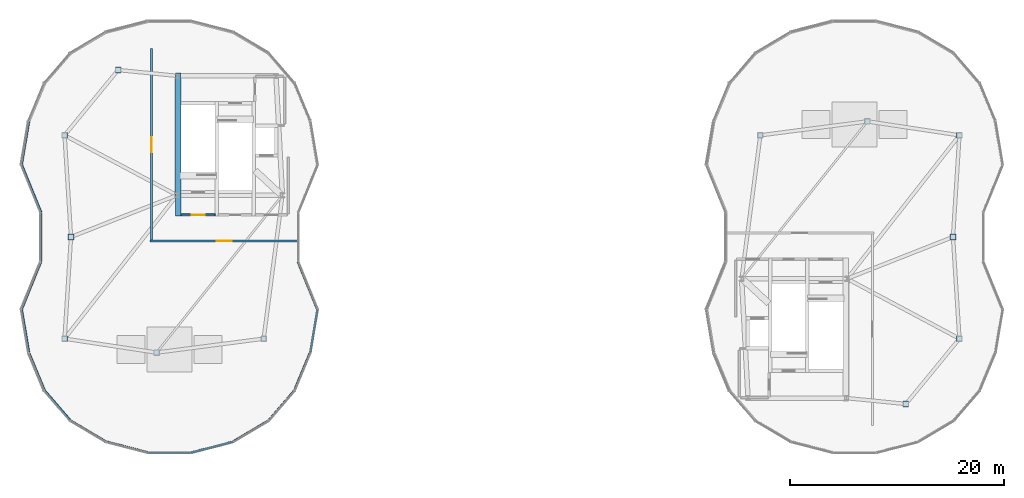
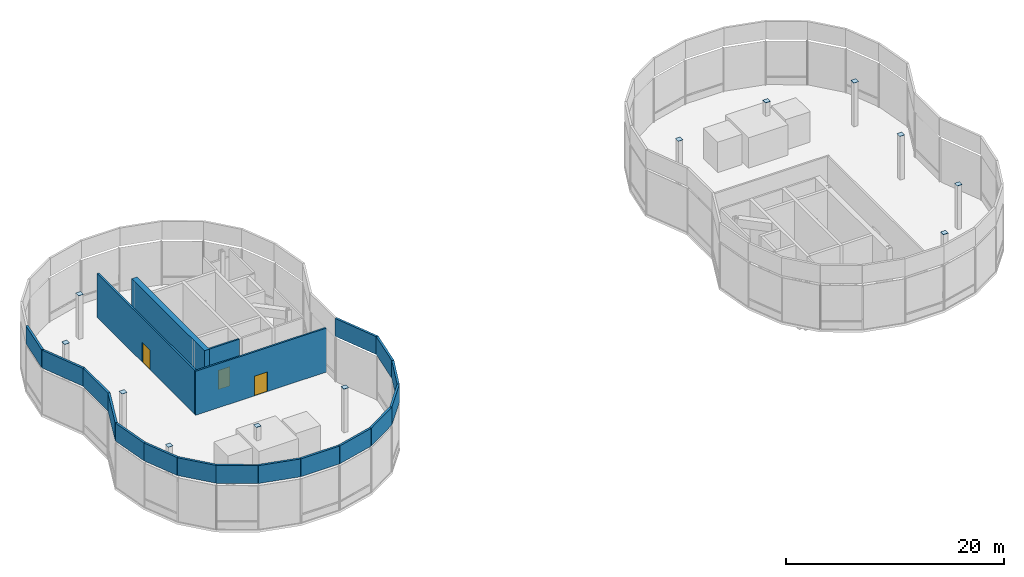
# One storey, part 10 of 14: 20 walls, 12 plates, 3 doors, 3 openings.
"""IFC4 building model written with IfcOpenShell, lengths in metres."""

import ifcopenshell
import ifcopenshell.guid

model = None  # the IFC model being written
_history = None  # IfcOwnerHistory: only IFC2X3 demands one
_inside = {}  # id of a spatial element -> (the spatial element, [elements in it])
_under = {}  # id of a project, library or spatial element -> (it, [spatial elements below it])
_declared = {}  # id of a project -> (the project, [libraries it declares])
_typed = {}  # id of a type object -> (the type object, [elements of that type])
_made_of = {}  # id of a material, layer set ... -> (it, [elements and type objects made of it])


def new_model(schema):
    """Start an empty IFC model of exactly this schema.

    Asked for "IFC4X3", IfcOpenShell would pick the latest addendum, in which some entities
    have other attributes; the version numbers below select the first issue.
    IFC2X3 requires an IfcOwnerHistory on every rooted entity: one is made here for all.
    """
    global model, _history
    if schema == "IFC4X3":
        model = ifcopenshell.file(schema_version=(4, 3, 0, 0))
    else:
        model = ifcopenshell.file(schema=schema)
    _inside.clear()
    _under.clear()
    _declared.clear()
    _typed.clear()
    _made_of.clear()
    _history = None
    if model.schema == "IFC2X3":
        org = make("IfcOrganization", Name="unknown")
        user = make(
            "IfcPersonAndOrganization",
            ThePerson=make("IfcPerson", FamilyName="unknown"),
            TheOrganization=org,
        )
        app = make(
            "IfcApplication",
            ApplicationDeveloper=org,
            Version="unknown",
            ApplicationFullName="unknown",
            ApplicationIdentifier="unknown",
        )
        _history = make(
            "IfcOwnerHistory",
            OwningUser=user,
            OwningApplication=app,
            ChangeAction="ADDED",
            CreationDate=0,
        )
    return model


def make(cls, **values):
    """One entity of the class cls with the attributes given. An attribute that is None is left unset."""
    return model.create_entity(
        cls, **{name: value for name, value in values.items() if value is not None}
    )


def rooted(cls, **values):
    """An entity with a GlobalId (a new one), such as an element, a storey or a relation."""
    return make(cls, GlobalId=ifcopenshell.guid.new(), OwnerHistory=_history, **values)


def si_unit(unit_type, name, prefix=None):
    """IfcSIUnit, for example si_unit("LENGTHUNIT", "METRE", prefix="MILLI")."""
    return make("IfcSIUnit", UnitType=unit_type, Prefix=prefix, Name=name)


def assignment(units):
    """IfcUnitAssignment: the units of a project."""
    return None if units is None else make("IfcUnitAssignment", Units=units)


def point(xyz):
    """IfcCartesianPoint."""
    return None if xyz is None else make("IfcCartesianPoint", Coordinates=xyz)


def direction(xyz):
    """IfcDirection."""
    return None if xyz is None else make("IfcDirection", DirectionRatios=xyz)


def frame(location, z_axis=None, x_axis=None):
    """IfcAxis2Placement3D, a coordinate frame: its origin and axes. An axis left out is left unset."""
    return make(
        "IfcAxis2Placement3D",
        Location=point(location),
        Axis=direction(z_axis),
        RefDirection=direction(x_axis),
    )


def frame_2d(location, x_axis=None):
    """IfcAxis2Placement2D, a coordinate frame in the plane: its origin and x axis."""
    return make(
        "IfcAxis2Placement2D", Location=point(location), RefDirection=direction(x_axis)
    )


def origin():
    """The frame at (0, 0, 0) with its axes left unset."""
    return frame((0.0, 0.0, 0.0))


def origin_2d():
    """The frame at (0, 0) in the plane with its x axis left unset."""
    return frame_2d((0.0, 0.0))


def place(relative_to, where):
    """IfcLocalPlacement: puts the frame where relative to a parent placement (None: the world)."""
    return make(
        "IfcLocalPlacement", PlacementRelTo=relative_to, RelativePlacement=where
    )


def context(
    kind, dimensions, precision=None, world=None, true_north=None, identifier=None
):
    """IfcGeometricRepresentationContext, for example the 3D "Model" context."""
    return make(
        "IfcGeometricRepresentationContext",
        ContextIdentifier=identifier,
        ContextType=kind,
        CoordinateSpaceDimension=dimensions,
        Precision=precision,
        WorldCoordinateSystem=world,
        TrueNorth=true_north,
    )


def subcontext(parent, identifier, kind, view, scale=None):
    """IfcGeometricRepresentationSubContext, for example "Body" below "Model"."""
    return make(
        "IfcGeometricRepresentationSubContext",
        ContextIdentifier=identifier,
        ContextType=kind,
        ParentContext=parent,
        TargetScale=scale,
        TargetView=view,
    )


def project(units=None, contexts=None):
    """IfcProject with its units and contexts."""
    return rooted(
        "IfcProject",
        Name="project",
        RepresentationContexts=contexts,
        UnitsInContext=assignment(units),
    )


def spatial(cls, under=None, at=None, **own):
    """A site, building, storey or space (cls), placed at a placement, below another one or the project."""
    s = rooted(cls, ObjectPlacement=at, **own)
    if under is not None:
        _under.setdefault(under.id(), (under, []))[1].append(s)
    return s


def profile(cls, at=None, kind="AREA", **sizes):
    """A parametric profile (cls). Its sizes go by their IFC names, for example OverallWidth=200.0."""
    return make(cls, ProfileType=kind, Position=at, **sizes)


def rectangle(**sizes):
    """IfcRectangleProfileDef."""
    return profile("IfcRectangleProfileDef", **sizes)


def extrude(swept, where, along, depth):
    """IfcExtrudedAreaSolid: the profile swept, set in the frame where, extruded along a direction by depth."""
    return make(
        "IfcExtrudedAreaSolid",
        SweptArea=swept,
        Position=where,
        ExtrudedDirection=direction(along),
        Depth=depth,
    )


def shape(context_of_items, identifier, shape_type, items):
    """IfcShapeRepresentation: the items that make up one representation, for example the "Body"."""
    return make(
        "IfcShapeRepresentation",
        ContextOfItems=context_of_items,
        RepresentationIdentifier=identifier,
        RepresentationType=shape_type,
        Items=items,
    )


def material(Name=None, Category=None):
    """IfcMaterial."""
    return make("IfcMaterial", Name=Name, Category=Category)


def layer(
    of_material, thickness, ventilated=None, Name=None, Category=None, Priority=None
):
    """IfcMaterialLayer: one layer of a wall or slab, of a material (None: an air gap)."""
    return make(
        "IfcMaterialLayer",
        Material=of_material,
        LayerThickness=thickness,
        IsVentilated=ventilated,
        Name=Name,
        Category=Category,
        Priority=Priority,
    )


def layer_set(layers, Name=None):
    """IfcMaterialLayerSet."""
    return make("IfcMaterialLayerSet", MaterialLayers=layers, LayerSetName=Name)


def made_of(thing, what):
    """Note that an element or type object is made of a material, layer set ...; save() writes the relation."""
    if what is not None:
        _made_of.setdefault(what.id(), (what, []))[1].append(thing)
    return thing


def type_object(cls, material=None, **own):
    """A type object (cls), such as IfcWallType, which elements share."""
    return made_of(rooted(cls, **own), material)


def element(
    cls,
    number,
    at=None,
    inside=None,
    cuts=None,
    type_object=None,
    material=None,
    context=None,
    identifier="Body",
    shape_type=None,
    held_by="IfcProductDefinitionShape",
    body=None,
    shapes=None,
    **own,
):
    """One element of the class cls, such as IfcWall. Its Tag is "e" and its number.

    at: its placement. inside: the storey or other place that contains it. cuts: it is an
    opening in that element (IfcRelVoidsElement). A single representation is given by context,
    identifier, shape_type and body (its items); several are given by shapes. held_by: the class
    of the entity that holds the representations. save() writes the other relations.
    """
    e = rooted(cls, Tag="e%d" % number, ObjectPlacement=at, **own)
    if body is not None:
        shapes = [shape(context, identifier, shape_type, body)]
    if shapes is not None:
        e.Representation = make(held_by, Representations=shapes)
    if inside is not None:
        _inside.setdefault(inside.id(), (inside, []))[1].append(e)
    if cuts is not None:
        rooted(
            "IfcRelVoidsElement", RelatingBuildingElement=cuts, RelatedOpeningElement=e
        )
    if type_object is not None:
        _typed.setdefault(type_object.id(), (type_object, []))[1].append(e)
    return made_of(e, material)


def fill(opening, filler):
    """IfcRelFillsElement: the door or window that sits in an opening."""
    return rooted(
        "IfcRelFillsElement",
        RelatingOpeningElement=opening,
        RelatedBuildingElement=filler,
    )


def aggregate(whole, parts):
    """IfcRelAggregates: a whole, such as a stair, and the parts it consists of."""
    return rooted("IfcRelAggregates", RelatingObject=whole, RelatedObjects=parts)


def save(model, path):
    """Write the relations noted so far, then the file.

    IfcRelAggregates (storeys below a building ...), IfcRelContainedInSpatialStructure (elements
    in a storey), IfcRelDefinesByType, IfcRelAssociatesMaterial and IfcRelDeclares: one each for
    every whole, place, type object, material and project.
    """
    for whole, parts in _under.values():
        aggregate(whole, parts)
    for where, things in _inside.values():
        rooted(
            "IfcRelContainedInSpatialStructure",
            RelatedElements=things,
            RelatingStructure=where,
        )
    for kind, things in _typed.values():
        rooted("IfcRelDefinesByType", RelatedObjects=things, RelatingType=kind)
    for what, things in _made_of.values():
        rooted("IfcRelAssociatesMaterial", RelatedObjects=things, RelatingMaterial=what)
    for by, libraries in _declared.values():
        rooted("IfcRelDeclares", RelatingContext=by, RelatedDefinitions=libraries)
    model.write(path)


model = new_model("IFC4")

# Units and contexts
model_context = context("Model", 3, precision=1e-05, world=origin(), true_north=direction((0.0, 1.0)))
body_context = subcontext(model_context, "Body", "Model", "MODEL_VIEW")
ifc_project = project(units=[si_unit("LENGTHUNIT", "METRE"), si_unit("AREAUNIT", "SQUARE_METRE"), si_unit("VOLUMEUNIT", "CUBIC_METRE"), si_unit("PLANEANGLEUNIT", "RADIAN"), si_unit("MASSUNIT", "GRAM", prefix="KILO"), si_unit("THERMODYNAMICTEMPERATUREUNIT", "KELVIN"), si_unit("POWERUNIT", "WATT")], contexts=[model_context])

# Site, building, storey
site_placement = place(None, origin())
site = spatial("IfcSite", under=ifc_project, at=site_placement, CompositionType="ELEMENT")
building_placement = place(site_placement, origin())
building = spatial("IfcBuilding", under=site, at=building_placement, Name="Cundina Bronze Exchange", CompositionType="ELEMENT")
storey_placement = place(building_placement, frame((0.0, 0.0, 286.39990234375)))
storey = spatial("IfcBuildingStorey", under=building, at=storey_placement, Name="L76", CompositionType="ELEMENT", Elevation=286.39990234375)

# Plates
ifc_material_1 = material(Name="Steel ASTM A572 Grade 50", Category="steel")
ifc_layer_1 = layer(ifc_material_1, 0.02490234375, Name="Steel ASTM A572 Grade 50", Category="steel")
ifc_layer_set_1 = layer_set([ifc_layer_1], Name="Steel ASTM A572 Grade 50")
plate_type = type_object("IfcPlateType", Name="PLT-CAP-STL25", PredefinedType="USERDEFINED", material=ifc_layer_set_1)
for number, where, z_axis, x_axis, name in (
    (1, (-41.199951171875, 0.0, 4.917724609375), (0.0, 0.0, 1.0), (1.0, 0.0, 0.0), "L76 W HSS Column Top Cap 1"),
    (2, (-41.800048828125, 9.5, 4.917724609375), (0.0, 0.0, 1.0), (1.0, 0.0, 0.0), "L76 W HSS Column Top Cap 2"),
    (3, (-36.800048828125, 15.60009765625, 4.917724609375), (0.0, 0.0, 1.0), (1.0, 0.0, 0.0), "L76 W HSS Column Top Cap 3"),
    (4, (-41.800048828125, -9.5, 4.917724609375), (0.0, 0.0, 1.0), (1.0, 0.0, 0.0), "L76 W HSS Column Top Cap 4"),
    (5, (-33.199951171875, -10.800048828125, 4.917724609375), (0.0, 0.0, 1.0), (1.0, 0.0, 0.0), "L76 W HSS Column Top Cap 5"),
    (6, (-23.199951171875, -9.5, 4.917724609375), (0.0, 0.0, 1.0), (1.0, 0.0, 0.0), "L76 W HSS Column Top Cap 6"),
    (7, (41.199951171875, 0.0, 4.917724609375), (0.0, 0.0, 1.0), (1.0, 0.0, 0.0), "L76 E HSS Column Top Cap 1"),
    (8, (41.800048828125, -9.5, 4.917724609375), (0.0, 0.0, 1.0), (1.0, 0.0, 0.0), "L76 E HSS Column Top Cap 2"),
    (9, (36.800048828125, -15.60009765625, 4.917724609375), (0.0, 0.0, 1.0), (1.0, 0.0, 0.0), "L76 E HSS Column Top Cap 3"),
    (10, (41.800048828125, 9.5, 4.917724609375), (0.0, 0.0, 1.0), (1.0, 0.0, 0.0), "L76 E HSS Column Top Cap 4"),
    (11, (33.199951171875, 10.800048828125, 4.917724609375), (0.0, 0.0, 1.0), (1.0, 0.0, 0.0), "L76 E HSS Column Top Cap 5"),
    (12, (23.199951171875, 9.5, 4.917724609375), (0.0, 0.0, 1.0), (1.0, 0.0, 0.0), "L76 E HSS Column Top Cap 6"),
):
    element("IfcPlate", number, at=place(storey_placement, frame(where, z_axis=z_axis, x_axis=x_axis)), inside=storey, type_object=plate_type, Name=name, ObjectType="STIFFENER_PLATE", PredefinedType="USERDEFINED", context=body_context, shape_type="SweptSolid", body=[
        extrude(rectangle(XDim=0.52001953125, YDim=0.52001953125, at=origin_2d()), origin(), (0.0, 0.0, 1.0), 0.02490234375),
    ])

# Wall, opening, door
ifc_material_2 = material(Name="Gypsum Fireboard Partition EI120")
ifc_layer_2 = layer(ifc_material_2, 0.179931640625, Name="Gypsum Fireboard Partition EI120")
ifc_layer_set_2 = layer_set([ifc_layer_2], Name="Gypsum Fireboard Partition EI120")
wall_type_1 = type_object("IfcWallType", Name="WL-COR-180", PredefinedType="PARTITIONING", material=ifc_layer_set_2)
wall_1_placement = place(storey_placement, frame((-30.89990234375, 2.06005859375, 0.0), z_axis=(0.0, 0.0, 1.0), x_axis=(1.0, 0.0, 0.0)))
wall_1 = element("IfcWall", 13, at=wall_1_placement, inside=storey, type_object=wall_type_1, Name="L76 W Stair Vestibule Exit Wall", PredefinedType="PARTITIONING", context=body_context, shape_type="SweptSolid", body=[
    extrude(rectangle(XDim=3.159912109375, YDim=0.179931640625, at=frame_2d((1.580078125, 0.0))), origin(), (0.0, 0.0, 1.0), 4.93017578125),
])
opening_1_placement = place(wall_1_placement, frame((0.97998046875, 0.0, 0.0)))
opening_1 = element("IfcOpeningElement", 14, at=opening_1_placement, cuts=wall_1, Name="Opening DF-01", PredefinedType="OPENING", context=body_context, shape_type="SweptSolid", body=[
    extrude(rectangle(XDim=1.199951171875, YDim=2.14990234375, at=frame_2d((0.60009765625, 1.074951171875))), frame((0.0, 0.099853515625, 0.0), z_axis=(0.0, -1.0, 0.0), x_axis=(1.0, 0.0, 0.0)), (0.0, 0.0, 1.0), 0.199951171875),
])
ifc_material_3 = material(Name="Steel ASTM A36 Painted", Category="steel")
door_type_1 = type_object("IfcDoorType", Name="DR-FFL-1200", OperationType="NOTDEFINED", PredefinedType="DOOR", material=ifc_material_3)
door_1_placement = place(opening_1_placement, origin())
door_1 = element("IfcDoor", 15, at=door_1_placement, inside=storey, type_object=door_type_1, Name="L76 W Stair Vestibule Door", OperationType="SINGLE_SWING_LEFT", OverallHeight=2.14990234375, OverallWidth=1.199951171875, PredefinedType="DOOR", context=body_context, shape_type="SweptSolid", body=[
    extrude(rectangle(XDim=1.199951171875, YDim=2.14990234375, at=frame_2d((0.60009765625, 1.074951171875))), frame((0.0, 0.02490234375, 0.0), z_axis=(0.0, -1.0, 0.0), x_axis=(1.0, 0.0, 0.0)), (0.0, 0.0, 1.0), 0.050048828125),
])
fill(opening_1, door_1)

wall_2_placement = place(storey_placement, frame((-33.805419921875, -0.389892578125, 0.0), z_axis=(0.0, 0.0, 1.0), x_axis=(1.0, 0.0, 0.0)))
wall_2 = element("IfcWall", 16, at=wall_2_placement, inside=storey, type_object=wall_type_1, Name="L76 Interior Partition 006", PredefinedType="PARTITIONING", context=body_context, shape_type="SweptSolid", body=[
    extrude(rectangle(XDim=13.853515625, YDim=0.179931640625, at=frame_2d((6.9267578125, 0.0))), origin(), (0.0, 0.0, 1.0), 4.93017578125),
])
opening_2_placement = place(wall_2_placement, frame((6.226806640625, 0.0, 0.0)))
opening_2 = element("IfcOpeningElement", 17, at=opening_2_placement, cuts=wall_2, Name="Opening DP-01", PredefinedType="OPENING", context=body_context, shape_type="SweptSolid", body=[
    extrude(rectangle(XDim=1.39990234375, YDim=2.199951171875, at=frame_2d((0.699951171875, 1.10009765625))), frame((0.0, 0.099853515625, 0.0), z_axis=(0.0, -1.0, 0.0), x_axis=(1.0, 0.0, 0.0)), (0.0, 0.0, 1.0), 0.199951171875),
])
door_type_2 = type_object("IfcDoorType", Name="DR-PLT-1400", OperationType="NOTDEFINED", PredefinedType="DOOR", material=ifc_material_3)
door_2_placement = place(opening_2_placement, origin())
door_2 = element("IfcDoor", 18, at=door_2_placement, inside=storey, type_object=door_type_2, Name="L76 Interior Door 006", OperationType="SINGLE_SWING_LEFT", OverallHeight=2.199951171875, OverallWidth=1.39990234375, PredefinedType="DOOR", context=body_context, shape_type="SweptSolid", body=[
    extrude(rectangle(XDim=1.39990234375, YDim=2.199951171875, at=frame_2d((0.699951171875, 1.10009765625))), frame((0.0, 0.02490234375, 0.0), z_axis=(0.0, -1.0, 0.0), x_axis=(1.0, 0.0, 0.0)), (0.0, 0.0, 1.0), 0.050048828125),
])
fill(opening_2, door_2)

wall_3_placement = place(storey_placement, frame((-33.68994140625, 17.605224609375, 0.0), z_axis=(0.0, 0.0, 1.0), x_axis=(0.0, -1.0, 0.0)))
wall_3 = element("IfcWall", 19, at=wall_3_placement, inside=storey, type_object=wall_type_1, Name="L76 Interior Partition 007", PredefinedType="PARTITIONING", context=body_context, shape_type="SweptSolid", body=[
    extrude(rectangle(XDim=17.935302734375, YDim=0.179931640625, at=frame_2d((8.9677734375, 0.0))), origin(), (0.0, 0.0, 1.0), 4.93017578125),
])
opening_3_placement = place(wall_3_placement, frame((8.267578125, 0.0, 0.0)))
opening_3 = element("IfcOpeningElement", 20, at=opening_3_placement, cuts=wall_3, Name="Opening DP-01", PredefinedType="OPENING", context=body_context, shape_type="SweptSolid", body=[
    extrude(rectangle(XDim=1.39990234375, YDim=2.199951171875, at=frame_2d((0.699951171875, 1.10009765625))), frame((0.0, 0.099853515625, 0.0), z_axis=(0.0, -1.0, 0.0), x_axis=(1.0, 0.0, 0.0)), (0.0, 0.0, 1.0), 0.199951171875),
])
door_3_placement = place(opening_3_placement, origin())
door_3 = element("IfcDoor", 21, at=door_3_placement, inside=storey, type_object=door_type_2, Name="L76 Interior Door 007", OperationType="SINGLE_SWING_LEFT", OverallHeight=2.199951171875, OverallWidth=1.39990234375, PredefinedType="DOOR", context=body_context, shape_type="SweptSolid", body=[
    extrude(rectangle(XDim=1.39990234375, YDim=2.199951171875, at=frame_2d((0.699951171875, 1.10009765625))), frame((0.0, 0.02490234375, 0.0), z_axis=(0.0, -1.0, 0.0), x_axis=(1.0, 0.0, 0.0)), (0.0, 0.0, 1.0), 0.050048828125),
])
fill(opening_3, door_3)

# Walls
ifc_material_4 = material(Name="Concrete C50/60", Category="concrete")
ifc_layer_3 = layer(ifc_material_4, 0.550048828125, Name="Concrete C50/60", Category="concrete")
ifc_layer_set_3 = layer_set([ifc_layer_3], Name="Concrete C50/60")
wall_type_2 = type_object("IfcWallType", Name="WL-CORE-550", PredefinedType="SHEAR", material=ifc_layer_set_3)
wall_4_placement = place(storey_placement, frame((-31.175048828125, 1.969970703125, 0.0), z_axis=(0.0, 0.0, 1.0), x_axis=(0.0, 1.0, 0.0)))
element("IfcWall", 22, at=wall_4_placement, inside=storey, type_object=wall_type_2, Name="L76 W Primary Core Shear Spine Wall", PredefinedType="SHEAR", context=body_context, shape_type="SweptSolid", body=[
    extrude(rectangle(XDim=13.330078125, YDim=0.550048828125, at=frame_2d((6.6650390625, 0.0))), origin(), (0.0, 0.0, 1.0), 4.93017578125),
])
ifc_material_5 = material(Name="Precast Concrete C45/55", Category="concrete")
ifc_layer_4 = layer(ifc_material_5, 0.219970703125, Name="Precast Concrete C45/55", Category="concrete")
ifc_layer_set_4 = layer_set([ifc_layer_4], Name="Precast Concrete C45/55")
wall_type_3 = type_object("IfcWallType", Name="WL-PAR-220", PredefinedType="PARAPET", material=ifc_layer_set_4)
wall_5_placement = place(storey_placement, frame((-19.989501953125, -2.310791015625, 5.2001953125), z_axis=(0.0, 0.0, 1.0), x_axis=(0.377043082347, -0.926195721246, 0.0)))
element("IfcWall", 23, at=wall_5_placement, inside=storey, type_object=wall_type_3, Name="L76 Leg W Crown Maintenance Parapet 02", PredefinedType="PARAPET", context=body_context, shape_type="SweptSolid", body=[
    extrude(rectangle(XDim=4.79736328125, YDim=0.219970703125, at=frame_2d((2.398681640625, 0.0))), origin(), (0.0, 0.0, 1.0), 2.0),
])
wall_6_placement = place(storey_placement, frame((-18.1806640625, -6.754150390625, 5.2001953125), z_axis=(0.0, 0.0, 1.0), x_axis=(-0.165110628258, -0.986275053135, 0.0)))
element("IfcWall", 24, at=wall_6_placement, inside=storey, type_object=wall_type_3, Name="L76 Leg W Crown Maintenance Parapet 03", PredefinedType="PARAPET", context=body_context, shape_type="SweptSolid", body=[
    extrude(rectangle(XDim=4.116455078125, YDim=0.219970703125, at=frame_2d((2.05810546875, 0.0))), origin(), (0.0, 0.0, 1.0), 2.0),
])
wall_7_placement = place(storey_placement, frame((-18.8603515625, -10.814208984375, 5.2001953125), z_axis=(0.0, 0.0, 1.0), x_axis=(-0.383669064321, -0.923470654154, 0.0)))
element("IfcWall", 25, at=wall_7_placement, inside=storey, type_object=wall_type_3, Name="L76 Leg W Crown Maintenance Parapet 04", PredefinedType="PARAPET", context=body_context, shape_type="SweptSolid", body=[
    extrude(rectangle(XDim=3.829345703125, YDim=0.219970703125, at=frame_2d((1.91455078125, 0.0))), origin(), (0.0, 0.0, 1.0), 2.0),
])
wall_8_placement = place(storey_placement, frame((-20.32958984375, -14.3505859375, 5.2001953125), z_axis=(0.0, 0.0, 1.0), x_axis=(-0.652473840564, -0.757811247858, 0.0)))
element("IfcWall", 26, at=wall_8_placement, inside=storey, type_object=wall_type_3, Name="L76 Leg W Crown Maintenance Parapet 05", PredefinedType="PARAPET", context=body_context, shape_type="SweptSolid", body=[
    extrude(rectangle(XDim=3.712890625, YDim=0.219970703125, at=frame_2d((1.8564453125, 0.0))), origin(), (0.0, 0.0, 1.0), 2.0),
])
wall_9_placement = place(storey_placement, frame((-22.752197265625, -17.164306640625, 5.2001953125), z_axis=(0.0, 0.0, 1.0), x_axis=(-0.859779697284, -0.5106651272, 0.0)))
element("IfcWall", 27, at=wall_9_placement, inside=storey, type_object=wall_type_3, Name="L76 Leg W Crown Maintenance Parapet 06", PredefinedType="PARAPET", context=body_context, shape_type="SweptSolid", body=[
    extrude(rectangle(XDim=3.838623046875, YDim=0.219970703125, at=frame_2d((1.91943359375, 0.0))), origin(), (0.0, 0.0, 1.0), 2.0),
])
wall_10_placement = place(storey_placement, frame((-26.052490234375, -19.12451171875, 5.2001953125), z_axis=(0.0, 0.0, 1.0), x_axis=(-0.968151728793, -0.250364194795, 0.0)))
element("IfcWall", 28, at=wall_10_placement, inside=storey, type_object=wall_type_3, Name="L76 Leg W Crown Maintenance Parapet 07", PredefinedType="PARAPET", context=body_context, shape_type="SweptSolid", body=[
    extrude(rectangle(XDim=4.0244140625, YDim=0.219970703125, at=frame_2d((2.01220703125, 0.0))), origin(), (0.0, 0.0, 1.0), 2.0),
])
wall_11_placement = place(storey_placement, frame((-29.94873046875, -20.132080078125, 5.2001953125), z_axis=(0.0, 0.0, 1.0), x_axis=(-1.0, 0.0, 0.0)))
element("IfcWall", 29, at=wall_11_placement, inside=storey, type_object=wall_type_3, Name="L76 Leg W Crown Maintenance Parapet 08", PredefinedType="PARAPET", context=body_context, shape_type="SweptSolid", body=[
    extrude(rectangle(XDim=4.1025390625, YDim=0.219970703125, at=frame_2d((2.05126953125, 0.0))), origin(), (0.0, 0.0, 1.0), 2.0),
])
wall_12_placement = place(storey_placement, frame((-34.05126953125, -20.132080078125, 5.2001953125), z_axis=(0.0, 0.0, 1.0), x_axis=(-0.968151728793, 0.250364194795, 0.0)))
element("IfcWall", 30, at=wall_12_placement, inside=storey, type_object=wall_type_3, Name="L76 Leg W Crown Maintenance Parapet 09", PredefinedType="PARAPET", context=body_context, shape_type="SweptSolid", body=[
    extrude(rectangle(XDim=4.0244140625, YDim=0.219970703125, at=frame_2d((2.01220703125, 0.0))), origin(), (0.0, 0.0, 1.0), 2.0),
])
wall_13_placement = place(storey_placement, frame((-37.947509765625, -19.12451171875, 5.2001953125), z_axis=(0.0, 0.0, 1.0), x_axis=(-0.859779697284, 0.5106651272, 0.0)))
element("IfcWall", 31, at=wall_13_placement, inside=storey, type_object=wall_type_3, Name="L76 Leg W Crown Maintenance Parapet 10", PredefinedType="PARAPET", context=body_context, shape_type="SweptSolid", body=[
    extrude(rectangle(XDim=3.838623046875, YDim=0.219970703125, at=frame_2d((1.91943359375, 0.0))), origin(), (0.0, 0.0, 1.0), 2.0),
])
wall_14_placement = place(storey_placement, frame((-41.247802734375, -17.164306640625, 5.2001953125), z_axis=(0.0, 0.0, 1.0), x_axis=(-0.652473840564, 0.757811247858, 0.0)))
element("IfcWall", 32, at=wall_14_placement, inside=storey, type_object=wall_type_3, Name="L76 Leg W Crown Maintenance Parapet 11", PredefinedType="PARAPET", context=body_context, shape_type="SweptSolid", body=[
    extrude(rectangle(XDim=3.712890625, YDim=0.219970703125, at=frame_2d((1.8564453125, 0.0))), origin(), (0.0, 0.0, 1.0), 2.0),
])
wall_15_placement = place(storey_placement, frame((-43.67041015625, -14.3505859375, 5.2001953125), z_axis=(0.0, 0.0, 1.0), x_axis=(-0.383669064321, 0.923470654154, 0.0)))
element("IfcWall", 33, at=wall_15_placement, inside=storey, type_object=wall_type_3, Name="L76 Leg W Crown Maintenance Parapet 12", PredefinedType="PARAPET", context=body_context, shape_type="SweptSolid", body=[
    extrude(rectangle(XDim=3.829345703125, YDim=0.219970703125, at=frame_2d((1.91455078125, 0.0))), origin(), (0.0, 0.0, 1.0), 2.0),
])
wall_16_placement = place(storey_placement, frame((-45.1396484375, -10.814208984375, 5.2001953125), z_axis=(0.0, 0.0, 1.0), x_axis=(-0.165110628258, 0.986275053135, 0.0)))
element("IfcWall", 34, at=wall_16_placement, inside=storey, type_object=wall_type_3, Name="L76 Leg W Crown Maintenance Parapet 13", PredefinedType="PARAPET", context=body_context, shape_type="SweptSolid", body=[
    extrude(rectangle(XDim=4.116455078125, YDim=0.219970703125, at=frame_2d((2.05810546875, 0.0))), origin(), (0.0, 0.0, 1.0), 2.0),
])
wall_17_placement = place(storey_placement, frame((-45.8193359375, -6.754150390625, 5.2001953125), z_axis=(0.0, 0.0, 1.0), x_axis=(0.375532386136, 0.92680927216, 0.0)))
element("IfcWall", 35, at=wall_17_placement, inside=storey, type_object=wall_type_3, Name="L76 Leg W Crown Maintenance Parapet 14", PredefinedType="PARAPET", context=body_context, shape_type="SweptSolid", body=[
    extrude(rectangle(XDim=4.8232421875, YDim=0.219970703125, at=frame_2d((2.41162109375, 0.0))), origin(), (0.0, 0.0, 1.0), 2.0),
])
wall_18_placement = place(storey_placement, frame((-44.008056640625, -2.283935546875, 5.2001953125), z_axis=(0.0, 0.0, 1.0), x_axis=(-0.000531349553, 0.999999858834, 0.0)))
element("IfcWall", 36, at=wall_18_placement, inside=storey, type_object=wall_type_3, Name="L76 Leg W Crown Maintenance Parapet 15", PredefinedType="PARAPET", context=body_context, shape_type="SweptSolid", body=[
    extrude(rectangle(XDim=4.5947265625, YDim=0.219970703125, at=frame_2d((2.29736328125, 0.0))), origin(), (0.0, 0.0, 1.0), 2.0),
])
wall_19_placement = place(storey_placement, frame((-44.010498046875, 2.310791015625, 5.2001953125), z_axis=(0.0, 0.0, 1.0), x_axis=(-0.377043082347, 0.926195721246, 0.0)))
element("IfcWall", 37, at=wall_19_placement, inside=storey, type_object=wall_type_3, Name="L76 Leg W Crown Maintenance Parapet 16", PredefinedType="PARAPET", context=body_context, shape_type="SweptSolid", body=[
    extrude(rectangle(XDim=4.79736328125, YDim=0.219970703125, at=frame_2d((2.398681640625, 0.0))), origin(), (0.0, 0.0, 1.0), 2.0),
])
wall_20_placement = place(storey_placement, frame((-45.8193359375, 6.754150390625, 5.2001953125), z_axis=(0.0, 0.0, 1.0), x_axis=(0.165110628258, 0.986275053135, 0.0)))
element("IfcWall", 38, at=wall_20_placement, inside=storey, type_object=wall_type_3, Name="L76 Leg W Crown Maintenance Parapet 17", PredefinedType="PARAPET", context=body_context, shape_type="SweptSolid", body=[
    extrude(rectangle(XDim=4.116455078125, YDim=0.219970703125, at=frame_2d((2.05810546875, 0.0))), origin(), (0.0, 0.0, 1.0), 2.0),
])

save(model, "model.ifc")
